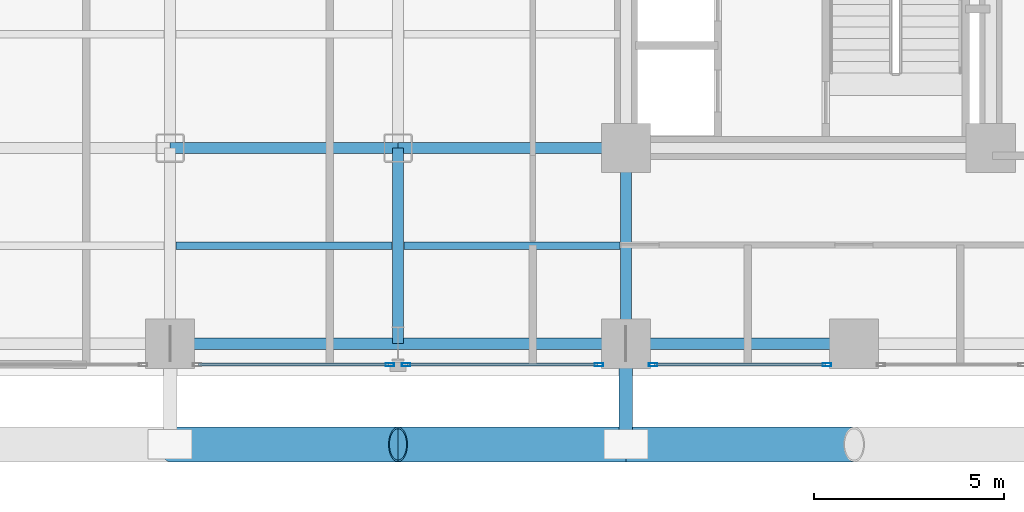
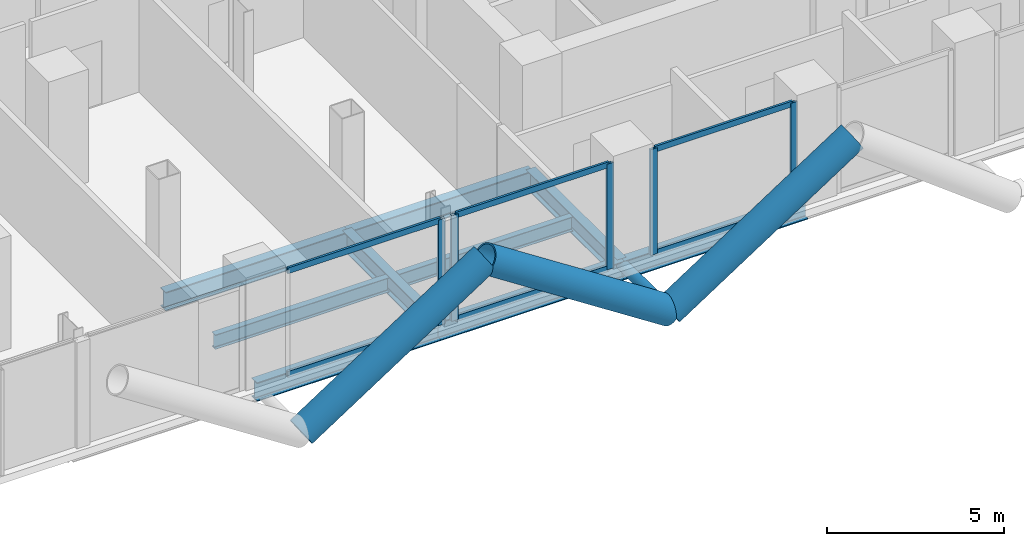
# One storey, part 3 of 27: 15 members, 9 beams, 3 elements without a shape of their own.
"""IFC4 building model written with IfcOpenShell, lengths in metres."""

from ifc_helpers import new_model, si_unit, direction, frame, origin, origin_2d, place, context, subcontext, project, spatial, hollow_rectangle, hollow_circle, i_section, extrude, material, layer, layer_set, material_profile, profile_set, type_object, element, aggregate, save


model = new_model("IFC4")

# Units and contexts
model_context = context("Model", 3, precision=1e-05, world=origin(), true_north=direction((0.0, 1.0)))
body_context = subcontext(model_context, "Body", "Model", "MODEL_VIEW")
ifc_project = project(units=[si_unit("LENGTHUNIT", "METRE"), si_unit("AREAUNIT", "SQUARE_METRE"), si_unit("VOLUMEUNIT", "CUBIC_METRE"), si_unit("PLANEANGLEUNIT", "RADIAN"), si_unit("MASSUNIT", "GRAM", prefix="KILO"), si_unit("THERMODYNAMICTEMPERATUREUNIT", "KELVIN"), si_unit("POWERUNIT", "WATT")], contexts=[model_context])

# Site, building, storey
site_placement = place(None, origin())
site = spatial("IfcSite", under=ifc_project, at=site_placement, CompositionType="ELEMENT")
building_placement = place(site_placement, origin())
building = spatial("IfcBuilding", under=site, at=building_placement, Name="Svarakhadi Broadcast Tower", CompositionType="ELEMENT")
storey_placement = place(building_placement, frame((0.0, 0.0, 75.300048828125)))
storey = spatial("IfcBuildingStorey", under=building, at=storey_placement, Name="L17", CompositionType="ELEMENT", Elevation=75.300048828125)

# Beams
ifc_material_1 = material(Name="Steel S355J2 (IS 2062 E350C)", Category="steel")
ifc_material_profile_1 = material_profile(ifc_material_1, i_section(OverallWidth=0.199951171875, OverallDepth=0.5, WebThickness=0.01025390625, FlangeThickness=0.01611328125, FilletRadius=0.02099609375, at=origin_2d()), Name="NPB 500x200x91")
ifc_profile_set_1 = profile_set([ifc_material_profile_1], Name="Steel S355J2 (IS 2062 E350C)")
beam_type_1 = type_object("IfcBeamType", Name="Beam_NPB500", PredefinedType="BEAM", material=ifc_profile_set_1)
for number, where, z_axis, x_axis, name in (
    (1, (12.159912109375, 3.425048828125, -0.5), (1.0, 0.0, 0.0), (0.0, 1.0, 0.0), "L17 Secondary Composite Beam SB013"),
    (2, (18.159912109375, 3.425048828125, -0.5), (1.0, 0.0, 0.0), (0.0, 1.0, 0.0), "L17 Secondary Composite Beam SB019"),
):
    element("IfcBeam", number, at=place(storey_placement, frame(where, z_axis=z_axis, x_axis=x_axis)), inside=storey, type_object=beam_type_1, Name=name, PredefinedType="BEAM", context=body_context, shape_type="SweptSolid", body=[
        extrude(i_section(OverallWidth=0.199951171875, OverallDepth=0.5, WebThickness=0.01025390625, FlangeThickness=0.01611328125, FilletRadius=0.02099609375, at=origin_2d()), origin(), (0.0, 0.0, 1.0), 5.68017578125),
    ])

# Curtain wall, members
ifc_material_2 = material(Name="Anodised Bronze Aluminium AA 6063-T6", Category="aluminium")
ifc_layer = layer(ifc_material_2, 0.219970703125)
ifc_layer_set = layer_set([ifc_layer], Name="Anodised Bronze Aluminium AA 6063-T6")
curtain_wall_type = type_object("IfcCurtainWallType", Name="CW_Sys_02", PredefinedType="NOTDEFINED", material=ifc_layer_set)
curtain_wall_1_placement = place(storey_placement, origin())
curtain_wall_1 = element("IfcCurtainWall", 3, at=curtain_wall_1_placement, inside=storey, type_object=curtain_wall_type, Name="L17 South Curtain Wall 17 Bay 3", PredefinedType="NOTDEFINED")
ifc_material_profile_2 = material_profile(ifc_material_2, hollow_rectangle(XDim=0.0849609375, YDim=0.219970703125, WallThickness=0.006103515625, at=origin_2d()), Name="ALU MULLION 220x85x6")
ifc_profile_set_2 = profile_set([ifc_material_profile_2], Name="Anodised Bronze Aluminium AA 6063-T6")
member_type_1 = type_object("IfcMemberType", Name="CW_Sys_02_Mul", PredefinedType="MULLION", material=ifc_profile_set_2)
member_1_placement = place(storey_placement, frame((29.28759765625, 0.300048828125, 0.0), z_axis=(0.0, 0.0, 1.0), x_axis=(0.0, -1.0, 0.0)))
member_1 = element("IfcMember", 4, at=member_1_placement, type_object=member_type_1, Name="CW-02 mullion 1", PredefinedType="MULLION", context=body_context, shape_type="SweptSolid", body=[
    extrude(hollow_rectangle(XDim=0.0849609375, YDim=0.219970703125, WallThickness=0.006103515625, at=origin_2d()), origin(), (0.0, 0.0, 1.0), 3.64990234375),
])
member_2_placement = place(storey_placement, frame((24.71240234375, 0.300048828125, 0.0), z_axis=(0.0, 0.0, 1.0), x_axis=(0.0, -1.0, 0.0)))
member_2 = element("IfcMember", 5, at=member_2_placement, type_object=member_type_1, Name="CW-02 mullion 2", PredefinedType="MULLION", context=body_context, shape_type="SweptSolid", body=[
    extrude(hollow_rectangle(XDim=0.0849609375, YDim=0.219970703125, WallThickness=0.006103515625, at=origin_2d()), origin(), (0.0, 0.0, 1.0), 3.64990234375),
])

curtain_wall_2_placement = place(storey_placement, origin())
curtain_wall_2 = element("IfcCurtainWall", 6, at=curtain_wall_2_placement, inside=storey, type_object=curtain_wall_type, Name="L17 South Curtain Wall 17 Bay 4", PredefinedType="NOTDEFINED")
member_3_placement = place(storey_placement, frame((23.28759765625, 0.300048828125, 0.0), z_axis=(0.0, 0.0, 1.0), x_axis=(0.0, -1.0, 0.0)))
member_3 = element("IfcMember", 7, at=member_3_placement, type_object=member_type_1, Name="CW-02 mullion 1", PredefinedType="MULLION", context=body_context, shape_type="SweptSolid", body=[
    extrude(hollow_rectangle(XDim=0.0849609375, YDim=0.219970703125, WallThickness=0.006103515625, at=origin_2d()), origin(), (0.0, 0.0, 1.0), 3.64990234375),
])
member_4_placement = place(storey_placement, frame((18.21240234375, 0.300048828125, 0.0), z_axis=(0.0, 0.0, 1.0), x_axis=(0.0, -1.0, 0.0)))
member_4 = element("IfcMember", 8, at=member_4_placement, type_object=member_type_1, Name="CW-02 mullion 2", PredefinedType="MULLION", context=body_context, shape_type="SweptSolid", body=[
    extrude(hollow_rectangle(XDim=0.0849609375, YDim=0.219970703125, WallThickness=0.006103515625, at=origin_2d()), origin(), (0.0, 0.0, 1.0), 3.64990234375),
])

# Curtain wall, member
curtain_wall_3_placement = place(storey_placement, origin())
curtain_wall_3 = element("IfcCurtainWall", 9, at=curtain_wall_3_placement, inside=storey, type_object=curtain_wall_type, Name="L17 South Curtain Wall 17 Bay 5", PredefinedType="NOTDEFINED")
member_5_placement = place(storey_placement, frame((17.78759765625, 0.300048828125, 0.0), z_axis=(0.0, 0.0, 1.0), x_axis=(0.0, -1.0, 0.0)))
member_5 = element("IfcMember", 10, at=member_5_placement, type_object=member_type_1, Name="CW-02 mullion 1", PredefinedType="MULLION", context=body_context, shape_type="SweptSolid", body=[
    extrude(hollow_rectangle(XDim=0.0849609375, YDim=0.219970703125, WallThickness=0.006103515625, at=origin_2d()), origin(), (0.0, 0.0, 1.0), 3.64990234375),
])

# Member
ifc_material_profile_3 = material_profile(ifc_material_2, hollow_rectangle(XDim=0.074951171875, YDim=0.199951171875, WallThickness=0.0048828125, at=origin_2d()), Name="ALU TRANSOM 200x75x5")
ifc_profile_set_3 = profile_set([ifc_material_profile_3], Name="Anodised Bronze Aluminium AA 6063-T6")
member_type_2 = type_object("IfcMemberType", Name="CW_Sys_02_Trn", PredefinedType="USERDEFINED", material=ifc_profile_set_3)
member_6_placement = place(storey_placement, frame((29.2451171875, 0.300048828125, 0.037353515625), z_axis=(-1.0, 0.0, 0.0), x_axis=(0.0, -1.0, 0.0)))
member_6 = element("IfcMember", 11, at=member_6_placement, type_object=member_type_2, Name="CW-02 transom 1.1", ObjectType="TRANSOM", PredefinedType="USERDEFINED", context=body_context, shape_type="SweptSolid", body=[
    extrude(hollow_rectangle(XDim=0.074951171875, YDim=0.199951171875, WallThickness=0.0048828125, at=origin_2d()), origin(), (0.0, 0.0, 1.0), 4.490234375),
])

member_7_placement = place(storey_placement, frame((29.2451171875, 0.300048828125, 3.612548828125), z_axis=(-1.0, 0.0, 0.0), x_axis=(0.0, -1.0, 0.0)))
member_7 = element("IfcMember", 12, at=member_7_placement, type_object=member_type_2, Name="CW-02 transom 1.2", ObjectType="TRANSOM", PredefinedType="USERDEFINED", context=body_context, shape_type="SweptSolid", body=[
    extrude(hollow_rectangle(XDim=0.074951171875, YDim=0.199951171875, WallThickness=0.0048828125, at=origin_2d()), origin(), (0.0, 0.0, 1.0), 4.490234375),
])

aggregate(curtain_wall_1, [member_1, member_2, member_6, member_7])

member_8_placement = place(storey_placement, frame((23.2451171875, 0.300048828125, 0.037353515625), z_axis=(-1.0, 0.0, 0.0), x_axis=(0.0, -1.0, 0.0)))
member_8 = element("IfcMember", 13, at=member_8_placement, type_object=member_type_2, Name="CW-02 transom 1.1", ObjectType="TRANSOM", PredefinedType="USERDEFINED", context=body_context, shape_type="SweptSolid", body=[
    extrude(hollow_rectangle(XDim=0.074951171875, YDim=0.199951171875, WallThickness=0.0048828125, at=origin_2d()), origin(), (0.0, 0.0, 1.0), 4.990234375),
])

member_9_placement = place(storey_placement, frame((23.2451171875, 0.300048828125, 3.612548828125), z_axis=(-1.0, 0.0, 0.0), x_axis=(0.0, -1.0, 0.0)))
member_9 = element("IfcMember", 14, at=member_9_placement, type_object=member_type_2, Name="CW-02 transom 1.2", ObjectType="TRANSOM", PredefinedType="USERDEFINED", context=body_context, shape_type="SweptSolid", body=[
    extrude(hollow_rectangle(XDim=0.074951171875, YDim=0.199951171875, WallThickness=0.0048828125, at=origin_2d()), origin(), (0.0, 0.0, 1.0), 4.990234375),
])

aggregate(curtain_wall_2, [member_3, member_4, member_8, member_9])

member_10_placement = place(storey_placement, frame((17.7451171875, 0.300048828125, 0.037353515625), z_axis=(-1.0, 0.0, 0.0), x_axis=(0.0, -1.0, 0.0)))
member_10 = element("IfcMember", 15, at=member_10_placement, type_object=member_type_2, Name="CW-02 transom 1.1", ObjectType="TRANSOM", PredefinedType="USERDEFINED", context=body_context, shape_type="SweptSolid", body=[
    extrude(hollow_rectangle(XDim=0.074951171875, YDim=0.199951171875, WallThickness=0.0048828125, at=origin_2d()), origin(), (0.0, 0.0, 1.0), 4.990234375),
])

member_11_placement = place(storey_placement, frame((17.7451171875, 0.300048828125, 3.612548828125), z_axis=(-1.0, 0.0, 0.0), x_axis=(0.0, -1.0, 0.0)))
member_11 = element("IfcMember", 16, at=member_11_placement, type_object=member_type_2, Name="CW-02 transom 1.2", ObjectType="TRANSOM", PredefinedType="USERDEFINED", context=body_context, shape_type="SweptSolid", body=[
    extrude(hollow_rectangle(XDim=0.074951171875, YDim=0.199951171875, WallThickness=0.0048828125, at=origin_2d()), origin(), (0.0, 0.0, 1.0), 4.990234375),
])

aggregate(curtain_wall_3, [member_5, member_10, member_11])

# Members
ifc_material_3 = material(Name="Steel S460ML (IS 2062 E450BR)", Category="steel")
ifc_material_profile_4 = material_profile(ifc_material_3, hollow_circle(Radius=0.45703125, WallThickness=0.044921875, at=origin_2d()), Name="CHS 914x45")
ifc_profile_set_4 = profile_set([ifc_material_profile_4], Name="Steel S460ML (IS 2062 E450BR)")
member_type_3 = type_object("IfcMemberType", Name="Exo_Brace_CHS914", PredefinedType="BRACE", material=ifc_profile_set_4)
for number, where, z_axis, x_axis, name in (
    (17, (12.0, -1.800048828125, -0.427734375), (0.838449851971, 0.0, 0.544978757136), (0.0, 1.0, 0.0), "L17 Exposed Bronze Exoskeleton Diagonal S02"),
    (18, (24.0, -1.800048828125, -0.427734375), (-0.838449851971, 0.0, 0.544978757136), (0.0, -1.0, 0.0), "L17 Exposed Bronze Exoskeleton Diagonal S03"),
    (19, (24.0, -1.800048828125, -0.427734375), (0.838449851971, 0.0, 0.544978757136), (0.0, 1.0, 0.0), "L17 Exposed Bronze Exoskeleton Diagonal S04"),
):
    element("IfcMember", number, at=place(storey_placement, frame(where, z_axis=z_axis, x_axis=x_axis)), inside=storey, type_object=member_type_3, Name=name, PredefinedType="BRACE", context=body_context, shape_type="SweptSolid", body=[
        extrude(hollow_circle(Radius=0.45703125, WallThickness=0.044921875, at=origin_2d()), origin(), (0.0, 0.0, 1.0), 7.156005859375),
    ])
ifc_material_profile_5 = material_profile(ifc_material_3, hollow_circle(Radius=0.177734375, WallThickness=0.02001953125, at=origin_2d()), Name="CHS 355.6x20")
ifc_profile_set_5 = profile_set([ifc_material_profile_5], Name="Steel S460ML (IS 2062 E450BR)")
member_type_4 = type_object("IfcMemberType", Name="Exo_Radial_Strut_Z1", PredefinedType="STRUT", material=ifc_profile_set_5)
member_12_placement = place(storey_placement, frame((24.0, -1.800048828125, -0.427734375), z_axis=(0.0, 1.0, 0.0), x_axis=(-1.0, 0.0, 0.0)))
element("IfcMember", 20, at=member_12_placement, inside=storey, type_object=member_type_4, Name="L17 Exoskeleton Radial Tie Strut S02", PredefinedType="STRUT", context=body_context, shape_type="SweptSolid", body=[
    extrude(hollow_circle(Radius=0.177734375, WallThickness=0.02001953125, at=origin_2d()), origin(), (0.0, 0.0, 1.0), 2.650146484375),
])

# Beams
ifc_material_profile_6 = material_profile(ifc_material_1, i_section(OverallWidth=0.300048828125, OverallDepth=0.64990234375, WebThickness=0.01611328125, FlangeThickness=0.031005859375, FilletRadius=0.027099609375, at=origin_2d()), Name="WPB 650x300x225")
ifc_profile_set_6 = profile_set([ifc_material_profile_6], Name="Steel S355J2 (IS 2062 E350C)")
beam_type_2 = type_object("IfcBeamType", Name="Girder_WPB650", PredefinedType="USERDEFINED", material=ifc_profile_set_6)
for number, where, z_axis, x_axis, name in (
    (21, (12.0, 0.85009765625, -0.574951171875), (1.0, 0.0, 0.0), (0.0, 1.0, 0.0), "L17 Primary E-W Girder G005"),
    (22, (18.0, 0.85009765625, -0.574951171875), (1.0, 0.0, 0.0), (0.0, 1.0, 0.0), "L17 Primary E-W Girder G006"),
    (23, (24.0, 0.85009765625, -0.574951171875), (1.0, 0.0, 0.0), (0.0, 1.0, 0.0), "L17 Primary E-W Girder G007"),
    (24, (12.0, 6.0, -0.574951171875), (1.0, 0.0, 0.0), (0.0, 1.0, 0.0), "L17 Primary E-W Girder G013"),
    (25, (18.0, 6.0, -0.574951171875), (1.0, 0.0, 0.0), (0.0, 1.0, 0.0), "L17 Primary E-W Girder G014"),
):
    element("IfcBeam", number, at=place(storey_placement, frame(where, z_axis=z_axis, x_axis=x_axis)), inside=storey, type_object=beam_type_2, Name=name, ObjectType="GIRDER", PredefinedType="USERDEFINED", context=body_context, shape_type="SweptSolid", body=[
        extrude(i_section(OverallWidth=0.300048828125, OverallDepth=0.64990234375, WebThickness=0.01611328125, FlangeThickness=0.031005859375, FilletRadius=0.027099609375, at=origin_2d()), origin(), (0.0, 0.0, 1.0), 6.0),
    ])
for number, where, z_axis, x_axis, name in (
    (26, (18.0, 0.85009765625, -0.574951171875), (0.0, 1.0, 0.0), (-1.0, 0.0, 0.0), "L17 Primary N-S Girder G064"),
    (27, (24.0, 0.85009765625, -0.574951171875), (0.0, 1.0, 0.0), (-1.0, 0.0, 0.0), "L17 Primary N-S Girder G071"),
):
    element("IfcBeam", number, at=place(storey_placement, frame(where, z_axis=z_axis, x_axis=x_axis)), inside=storey, type_object=beam_type_2, Name=name, ObjectType="GIRDER", PredefinedType="USERDEFINED", context=body_context, shape_type="SweptSolid", body=[
        extrude(i_section(OverallWidth=0.300048828125, OverallDepth=0.64990234375, WebThickness=0.01611328125, FlangeThickness=0.031005859375, FilletRadius=0.027099609375, at=origin_2d()), origin(), (0.0, 0.0, 1.0), 5.14990234375),
    ])

save(model, "model.ifc")
